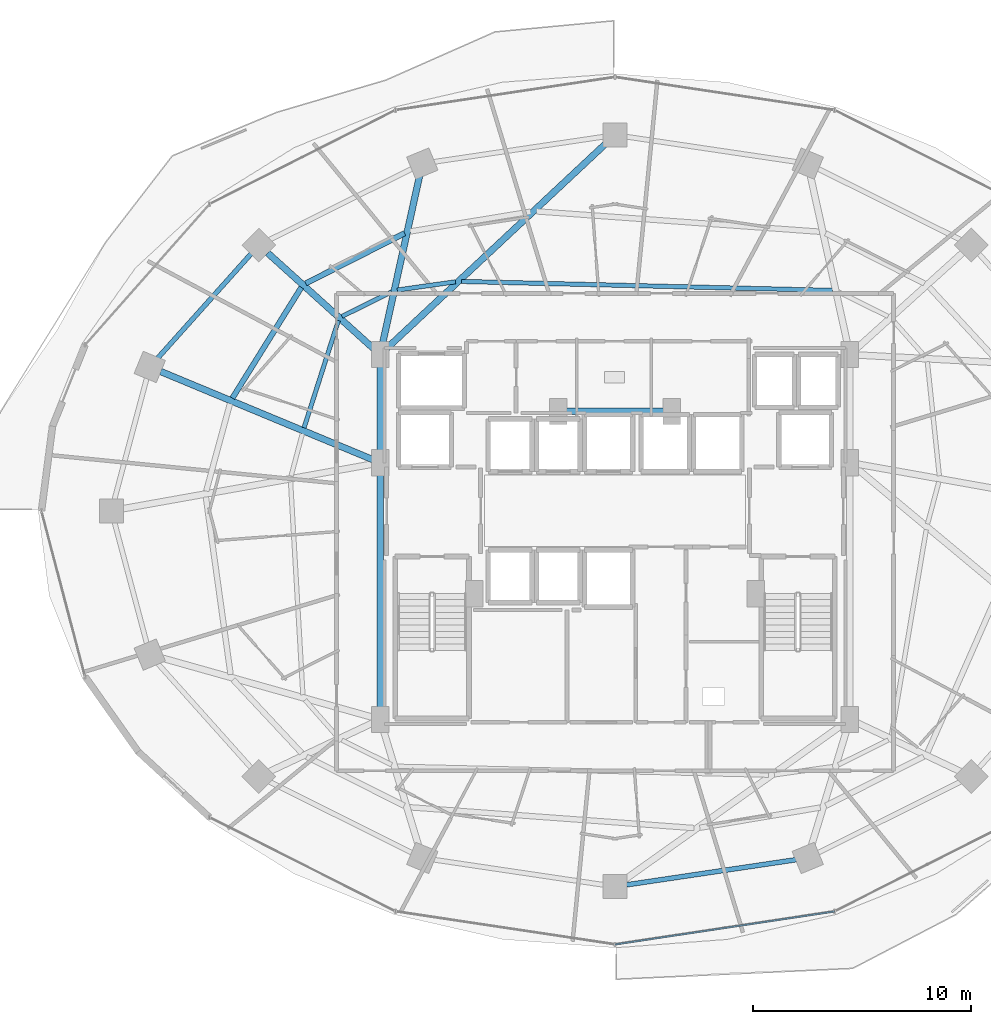
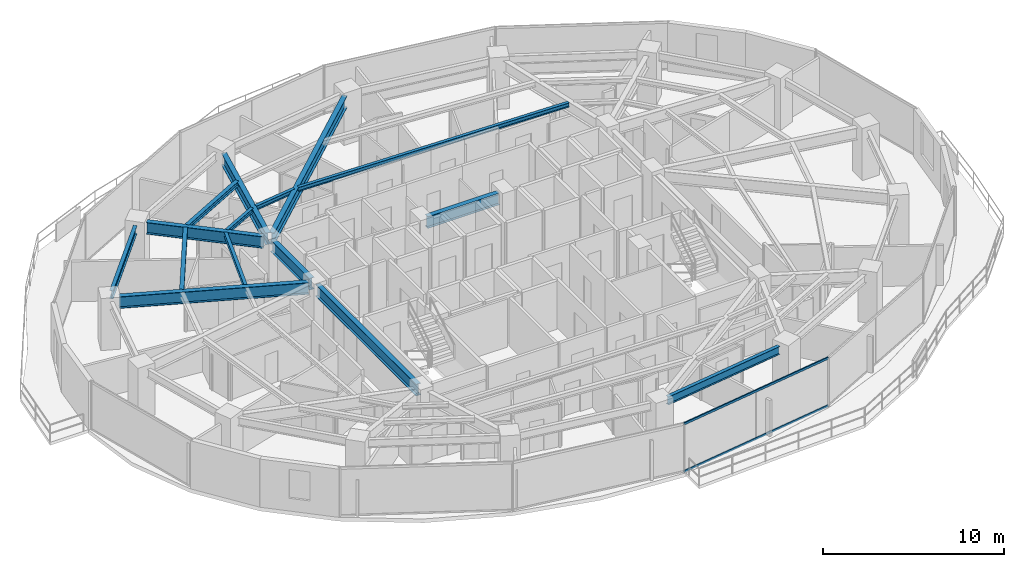
# One storey, part 9 of 29: 15 beams, 2 members, 1 element without a shape of its own.
"""IFC4 building model written with IfcOpenShell, lengths in metres."""

from ifc_helpers import new_model, si_unit, direction, frame, origin, origin_2d, place, context, subcontext, project, spatial, hollow_rectangle, i_section, extrude, material, material_profile, profile_set, type_object, element, aggregate, save


model = new_model("IFC4")

# Units and contexts
model_context = context("Model", 3, precision=1e-05, world=origin(), true_north=direction((0.0, 1.0)))
body_context = subcontext(model_context, "Body", "Model", "MODEL_VIEW")
ifc_project = project(units=[si_unit("LENGTHUNIT", "METRE"), si_unit("AREAUNIT", "SQUARE_METRE"), si_unit("VOLUMEUNIT", "CUBIC_METRE"), si_unit("PLANEANGLEUNIT", "RADIAN"), si_unit("MASSUNIT", "GRAM", prefix="KILO")], contexts=[model_context])

# Site, building, storey
site_placement = place(None, origin())
site = spatial("IfcSite", under=ifc_project, at=site_placement, CompositionType="ELEMENT")
building_placement = place(site_placement, origin())
building = spatial("IfcBuilding", under=site, at=building_placement, Name="Vorneva Point Tower", CompositionType="ELEMENT")
storey_placement = place(building_placement, frame((0.0, 0.0, 110.300048828125)))
storey = spatial("IfcBuildingStorey", under=building, at=storey_placement, Name="L29", CompositionType="ELEMENT", Elevation=110.300048828125)

# Beams
ifc_material_1 = material(Name="Steel S355", Category="steel")
ifc_material_profile_1 = material_profile(ifc_material_1, i_section(OverallWidth=0.300048828125, OverallDepth=0.7880859375, WebThickness=0.014404296875, FlangeThickness=0.02197265625, at=origin_2d()), Name="80Sh1")
ifc_profile_set_1 = profile_set([ifc_material_profile_1], Name="Steel S355")
beam_type_1 = type_object("IfcBeamType", Name="BM-GRD-80Sh1", PredefinedType="USERDEFINED", material=ifc_profile_set_1)
beam_1_placement = place(storey_placement, frame((37.60693359375, 42.83251953125, 2.845947265625), z_axis=(-0.730488863256, -0.682924608327, 0.0), x_axis=(0.682924608327, -0.730488863256, 0.0)))
element("IfcBeam", 1, at=beam_1_placement, inside=storey, type_object=beam_type_1, Name="L29 Radial Primary Girder 05", ObjectType="GIRDER", PredefinedType="USERDEFINED", context=body_context, shape_type="SweptSolid", body=[
    extrude(i_section(OverallWidth=0.300048828125, OverallDepth=0.7880859375, WebThickness=0.014404296875, FlangeThickness=0.02197265625, at=origin_2d()), origin(), (0.0, 0.0, 1.0), 13.838134765625),
])
beam_2_placement = place(storey_placement, frame((29.063232421875, 41.365234375, 2.845947265625), z_axis=(-0.215530944428, -0.976497010745, 0.0), x_axis=(0.976497010745, -0.215530944428, 0.0)))
element("IfcBeam", 2, at=beam_2_placement, inside=storey, type_object=beam_type_1, Name="L29 Radial Primary Girder 06", ObjectType="GIRDER", PredefinedType="USERDEFINED", context=body_context, shape_type="SweptSolid", body=[
    extrude(i_section(OverallWidth=0.300048828125, OverallDepth=0.7880859375, WebThickness=0.014404296875, FlangeThickness=0.02197265625, at=origin_2d()), origin(), (0.0, 0.0, 1.0), 8.072998046875),
])
beam_3_placement = place(storey_placement, frame((22.100341796875, 37.801513671875, 2.845947265625), z_axis=(0.742097300344, -0.670292172729, 0.0), x_axis=(0.670292172729, 0.742097300344, 0.0)))
element("IfcBeam", 3, at=beam_3_placement, inside=storey, type_object=beam_type_1, Name="L29 Radial Primary Girder 07", ObjectType="GIRDER", PredefinedType="USERDEFINED", context=body_context, shape_type="SweptSolid", body=[
    extrude(i_section(OverallWidth=0.300048828125, OverallDepth=0.7880859375, WebThickness=0.014404296875, FlangeThickness=0.02197265625, at=origin_2d()), origin(), (0.0, 0.0, 1.0), 6.599365234375),
])
beam_4_placement = place(storey_placement, frame((17.201416015625, 32.375732421875, 2.845947265625), z_axis=(0.923444451211, -0.383732127307, 0.0), x_axis=(0.383732127307, 0.923444451211, 0.0)))
element("IfcBeam", 4, at=beam_4_placement, inside=storey, type_object=beam_type_1, Name="L29 Radial Primary Girder 08", ObjectType="GIRDER", PredefinedType="USERDEFINED", context=body_context, shape_type="SweptSolid", body=[
    extrude(i_section(OverallWidth=0.300048828125, OverallDepth=0.7880859375, WebThickness=0.014404296875, FlangeThickness=0.02197265625, at=origin_2d()), origin(), (0.0, 0.0, 1.0), 10.541748046875),
])
beam_5_placement = place(storey_placement, frame((27.25, 16.77001953125, 2.845947265625), z_axis=(0.0, 1.0, 0.0), x_axis=(-1.0, 0.0, 0.0)))
element("IfcBeam", 5, at=beam_5_placement, inside=storey, type_object=beam_type_1, Name="L29 Core Tie Girder CT1", ObjectType="GIRDER", PredefinedType="USERDEFINED", context=body_context, shape_type="SweptSolid", body=[
    extrude(i_section(OverallWidth=0.300048828125, OverallDepth=0.7880859375, WebThickness=0.014404296875, FlangeThickness=0.02197265625, at=origin_2d()), origin(), (0.0, 0.0, 1.0), 11.10986328125),
])
beam_6_placement = place(storey_placement, frame((27.25, 28.52001953125, 2.845947265625), z_axis=(0.0, 1.0, 0.0), x_axis=(-1.0, 0.0, 0.0)))
element("IfcBeam", 6, at=beam_6_placement, inside=storey, type_object=beam_type_1, Name="L29 Core Tie Girder CT2", ObjectType="GIRDER", PredefinedType="USERDEFINED", context=body_context, shape_type="SweptSolid", body=[
    extrude(i_section(OverallWidth=0.300048828125, OverallDepth=0.7880859375, WebThickness=0.014404296875, FlangeThickness=0.02197265625, at=origin_2d()), origin(), (0.0, 0.0, 1.0), 4.31005859375),
])
beam_7_placement = place(storey_placement, frame((35.719970703125, 30.550048828125, 2.845947265625), z_axis=(1.0, 0.0, 0.0), x_axis=(0.0, 1.0, 0.0)))
element("IfcBeam", 7, at=beam_7_placement, inside=storey, type_object=beam_type_1, Name="L29 Core Tie Girder CT8", ObjectType="GIRDER", PredefinedType="USERDEFINED", context=body_context, shape_type="SweptSolid", body=[
    extrude(i_section(OverallWidth=0.300048828125, OverallDepth=0.7880859375, WebThickness=0.014404296875, FlangeThickness=0.02197265625, at=origin_2d()), origin(), (0.0, 0.0, 1.0), 4.56005859375),
])
ifc_material_profile_2 = material_profile(ifc_material_1, i_section(OverallWidth=0.199951171875, OverallDepth=0.291015625, WebThickness=0.008056640625, FlangeThickness=0.010986328125, at=origin_2d()), Name="30Sh1")
ifc_profile_set_2 = profile_set([ifc_material_profile_2], Name="Steel S355")
beam_type_2 = type_object("IfcBeamType", Name="BM-SEC-30Sh1", PredefinedType="BEAM", material=ifc_profile_set_2)
beam_8_placement = place(storey_placement, frame((47.964599609375, 36.0869140625, 3.094482421875), z_axis=(-0.999708122341, 0.024159265841, 0.0), x_axis=(-0.024159265841, -0.999708122341, 0.0)))
element("IfcBeam", 8, at=beam_8_placement, inside=storey, type_object=beam_type_2, Name="L29 Secondary Floor Beam 2.04", PredefinedType="BEAM", context=body_context, shape_type="SweptSolid", body=[
    extrude(i_section(OverallWidth=0.199951171875, OverallDepth=0.291015625, WebThickness=0.008056640625, FlangeThickness=0.010986328125, at=origin_2d()), origin(), (0.0, 0.0, 1.0), 16.997314453125),
])
beam_9_placement = place(storey_placement, frame((30.697509765625, 36.4814453125, 3.094482421875), z_axis=(-0.990043658135, -0.140760630101, 0.0), x_axis=(0.140760630101, -0.990043658135, 0.0)))
element("IfcBeam", 9, at=beam_9_placement, inside=storey, type_object=beam_type_2, Name="L29 Secondary Floor Beam 2.05", PredefinedType="BEAM", context=body_context, shape_type="SweptSolid", body=[
    extrude(i_section(OverallWidth=0.199951171875, OverallDepth=0.291015625, WebThickness=0.008056640625, FlangeThickness=0.010986328125, at=origin_2d()), origin(), (0.0, 0.0, 1.0), 2.690185546875),
])
beam_10_placement = place(storey_placement, frame((27.773681640625, 36.022216796875, 3.094482421875), z_axis=(-0.896137449279, -0.443776601456, 0.0), x_axis=(0.443776601456, -0.896137449279, 0.0)))
element("IfcBeam", 10, at=beam_10_placement, inside=storey, type_object=beam_type_2, Name="L29 Secondary Floor Beam 2.06", PredefinedType="BEAM", context=body_context, shape_type="SweptSolid", body=[
    extrude(i_section(OverallWidth=0.199951171875, OverallDepth=0.291015625, WebThickness=0.008056640625, FlangeThickness=0.010986328125, at=origin_2d()), origin(), (0.0, 0.0, 1.0), 2.53125),
])
beam_11_placement = place(storey_placement, frame((25.339599609375, 34.706298828125, 3.094482421875), z_axis=(-0.305296309303, -0.952257404028, 0.0), x_axis=(0.952257404028, -0.305296309303, 0.0)))
element("IfcBeam", 11, at=beam_11_placement, inside=storey, type_object=beam_type_2, Name="L29 Secondary Floor Beam 2.07", PredefinedType="BEAM", context=body_context, shape_type="SweptSolid", body=[
    extrude(i_section(OverallWidth=0.199951171875, OverallDepth=0.291015625, WebThickness=0.008056640625, FlangeThickness=0.010986328125, at=origin_2d()), origin(), (0.0, 0.0, 1.0), 5.155517578125),
])
ifc_material_profile_3 = material_profile(ifc_material_1, i_section(OverallWidth=0.2490234375, OverallDepth=0.333984375, WebThickness=0.008056640625, FlangeThickness=0.010986328125, at=origin_2d()), Name="35Sh1")
ifc_profile_set_3 = profile_set([ifc_material_profile_3], Name="Steel S355")
beam_type_3 = type_object("IfcBeamType", Name="BM-SEC-35Sh1", PredefinedType="BEAM", material=ifc_profile_set_3)
beam_12_placement = place(storey_placement, frame((28.365966796875, 38.701416015625, 3.072998046875), z_axis=(-0.891736950486, -0.452554097471, 0.0), x_axis=(0.452554097471, -0.891736950486, 0.0)))
element("IfcBeam", 12, at=beam_12_placement, inside=storey, type_object=beam_type_3, Name="L29 Secondary Floor Beam 1.06", PredefinedType="BEAM", context=body_context, shape_type="SweptSolid", body=[
    extrude(i_section(OverallWidth=0.2490234375, OverallDepth=0.333984375, WebThickness=0.008056640625, FlangeThickness=0.010986328125, at=origin_2d()), origin(), (0.0, 0.0, 1.0), 5.075927734375),
])
beam_13_placement = place(storey_placement, frame((23.6435546875, 36.224609375, 3.072998046875), z_axis=(-0.52880365784, -0.848744184931, 0.0), x_axis=(0.848744184931, -0.52880365784, 0.0)))
element("IfcBeam", 13, at=beam_13_placement, inside=storey, type_object=beam_type_3, Name="L29 Secondary Floor Beam 1.07", PredefinedType="BEAM", context=body_context, shape_type="SweptSolid", body=[
    extrude(i_section(OverallWidth=0.2490234375, OverallDepth=0.333984375, WebThickness=0.008056640625, FlangeThickness=0.010986328125, at=origin_2d()), origin(), (0.0, 0.0, 1.0), 5.969482421875),
])
ifc_material_profile_4 = material_profile(ifc_material_1, i_section(OverallWidth=0.219970703125, OverallDepth=0.54296875, WebThickness=0.009521484375, FlangeThickness=0.013427734375, at=origin_2d()), Name="55B1")
ifc_profile_set_4 = profile_set([ifc_material_profile_4], Name="Steel S355")
beam_type_4 = type_object("IfcBeamType", Name="BM-SPN-55B1", PredefinedType="SPANDREL", material=ifc_profile_set_4)
beam_14_placement = place(storey_placement, frame((21.34423828125, 37.763671875, 2.968505859375), z_axis=(-0.667073815664, -0.744991627105, 0.0), x_axis=(0.744991627105, -0.667073815664, 0.0)))
element("IfcBeam", 14, at=beam_14_placement, inside=storey, type_object=beam_type_4, Name="L29 Perimeter Spandrel Ring Beam 07", PredefinedType="SPANDREL", context=body_context, shape_type="SweptSolid", body=[
    extrude(i_section(OverallWidth=0.219970703125, OverallDepth=0.54296875, WebThickness=0.009521484375, FlangeThickness=0.013427734375, at=origin_2d()), origin(), (0.0, 0.0, 1.0), 6.420166015625),
])
beam_15_placement = place(storey_placement, frame((38.529296875, 8.878662109375, 2.968505859375), z_axis=(0.989164507783, 0.146811363806, 0.0), x_axis=(-0.146811363806, 0.989164507783, 0.0)))
element("IfcBeam", 15, at=beam_15_placement, inside=storey, type_object=beam_type_4, Name="L29 Perimeter Spandrel Ring Beam 13", PredefinedType="SPANDREL", context=body_context, shape_type="SweptSolid", body=[
    extrude(i_section(OverallWidth=0.219970703125, OverallDepth=0.54296875, WebThickness=0.009521484375, FlangeThickness=0.013427734375, at=origin_2d()), origin(), (0.0, 0.0, 1.0), 7.847412109375),
])

# Curtain wall, members
ifc_material_2 = material(Name="Pale anodised aluminium", Category="aluminium")
curtain_wall_type = type_object("IfcCurtainWallType", Name="CW-HTL-SYS", PredefinedType="NOTDEFINED", material=ifc_material_2)
curtain_wall_placement = place(storey_placement, origin())
curtain_wall = element("IfcCurtainWall", 16, at=curtain_wall_placement, inside=storey, type_object=curtain_wall_type, Name="L29 Unitised Curtain Wall CW-L29-R04", PredefinedType="NOTDEFINED")
ifc_material_profile_5 = material_profile(ifc_material_2, hollow_rectangle(XDim=0.074951171875, YDim=0.14990234375, WallThickness=0.00390625, at=origin_2d()), Name="AL-TRN 150x75x4")
ifc_profile_set_5 = profile_set([ifc_material_profile_5], Name="Pale anodised aluminium")
member_type = type_object("IfcMemberType", Name="CW-TRN-150", PredefinedType="USERDEFINED", material=ifc_profile_set_5)
member_1_placement = place(storey_placement, frame((38.0, 6.14990234375, 0.02001953125), z_axis=(0.988875982167, 0.148742367512, 0.0), x_axis=(-0.148742367512, 0.988875982167, 0.0)))
member_1 = element("IfcMember", 17, at=member_1_placement, type_object=member_type, Name="CW-L29-R04 Transom 03.1", ObjectType="TRANSOM", PredefinedType="USERDEFINED", context=body_context, shape_type="SweptSolid", body=[
    extrude(hollow_rectangle(XDim=0.074951171875, YDim=0.14990234375, WallThickness=0.00390625, at=origin_2d()), origin(), (0.0, 0.0, 1.0), 10.158447265625),
])
member_2_placement = place(storey_placement, frame((38.0, 6.14990234375, 3.219970703125), z_axis=(0.988875982167, 0.148742367512, 0.0), x_axis=(-0.148742367512, 0.988875982167, 0.0)))
member_2 = element("IfcMember", 18, at=member_2_placement, type_object=member_type, Name="CW-L29-R04 Transom 03.2", ObjectType="TRANSOM", PredefinedType="USERDEFINED", context=body_context, shape_type="SweptSolid", body=[
    extrude(hollow_rectangle(XDim=0.074951171875, YDim=0.14990234375, WallThickness=0.00390625, at=origin_2d()), origin(), (0.0, 0.0, 1.0), 10.158447265625),
])
aggregate(curtain_wall, [member_1, member_2])

save(model, "model.ifc")
